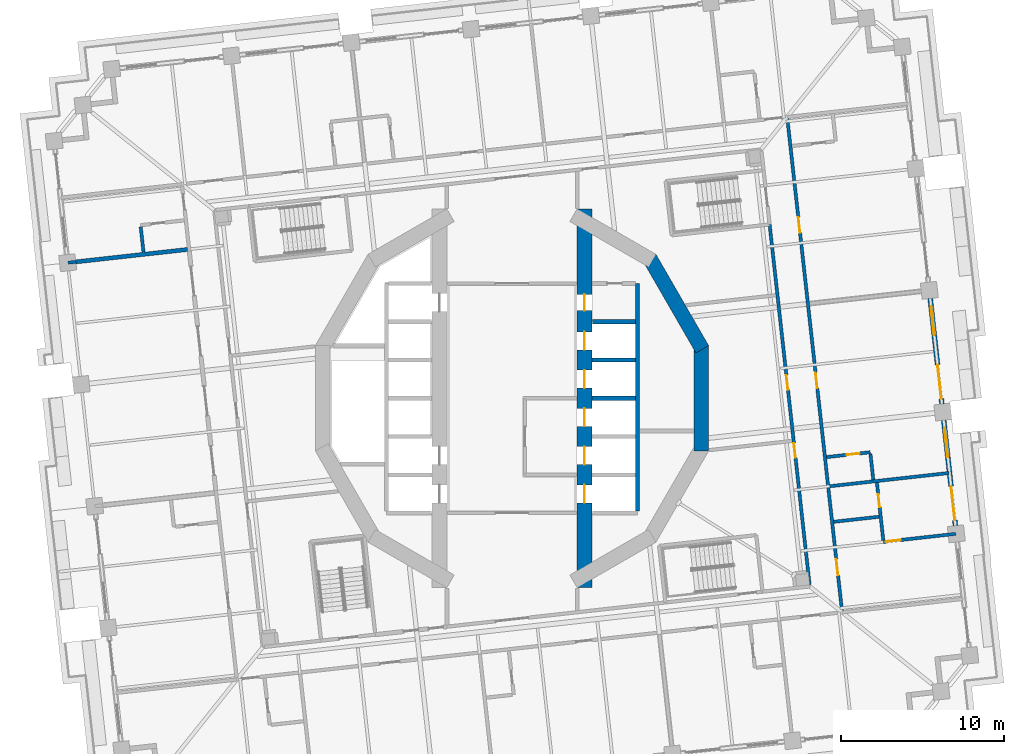
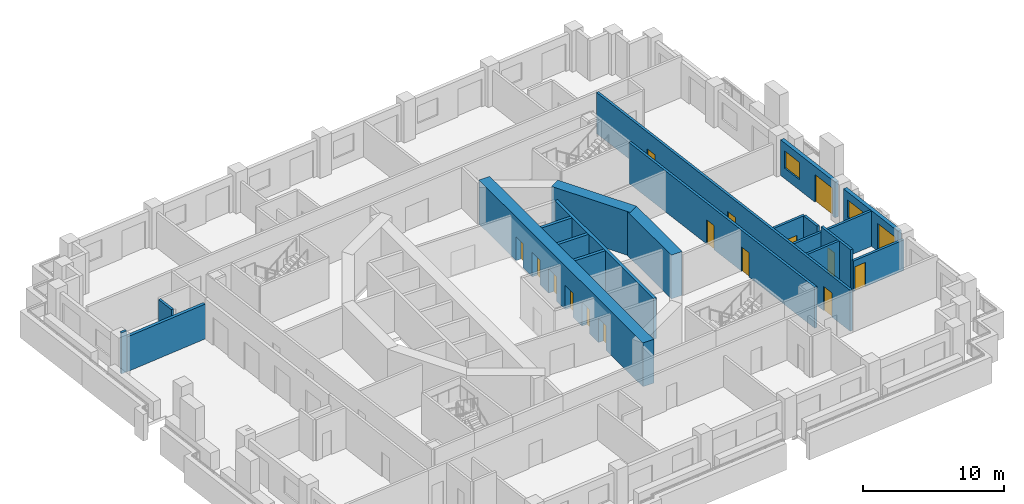
# One storey, part 7 of 19: 20 walls, 16 doors, 2 windows, 18 openings.
"""IFC4 building model written with IfcOpenShell, lengths in metres."""

from ifc_helpers import new_model, si_unit, direction, frame, frame_2d, origin, place, context, subcontext, project, spatial, rectangle, extrude, material, layer, layer_set, type_object, element, fill, save


model = new_model("IFC4")

# Units and contexts
model_context = context("Model", 3, precision=1e-05, world=origin(), true_north=direction((0.0, 1.0)))
body_context = subcontext(model_context, "Body", "Model", "MODEL_VIEW")
ifc_project = project(units=[si_unit("LENGTHUNIT", "METRE"), si_unit("AREAUNIT", "SQUARE_METRE"), si_unit("VOLUMEUNIT", "CUBIC_METRE"), si_unit("PLANEANGLEUNIT", "RADIAN"), si_unit("MASSUNIT", "GRAM", prefix="KILO")], contexts=[model_context])

# Site, building, storey
site_placement = place(None, origin())
site = spatial("IfcSite", under=ifc_project, at=site_placement, CompositionType="ELEMENT")
building_placement = place(site_placement, origin())
building = spatial("IfcBuilding", under=site, at=building_placement, Name="Cantera Rosa Tower", CompositionType="ELEMENT")
storey_placement = place(building_placement, frame((0.0, 0.0, 65.300048828125)))
storey = spatial("IfcBuildingStorey", under=building, at=storey_placement, Name="L13", CompositionType="ELEMENT", Elevation=65.300048828125)

# Wall, openings, doors
ifc_material_1 = material(Name="Gypsum board partition")
ifc_layer_1 = layer(ifc_material_1, 0.199951171875)
ifc_layer_set_1 = layer_set([ifc_layer_1], Name="CORRIDOR WALL 200 H3550")
wall_type_1 = type_object("IfcWallType", Name="CORRIDOR WALL 200 H3550", PredefinedType="PARTITIONING", material=ifc_layer_set_1)
wall_1_placement = place(storey_placement, frame((18.27490234375, -11.453857421875, 0.0), z_axis=(0.0, 0.0, 1.0), x_axis=(-0.110303935969, 0.993897903061, 0.0)))
wall_1 = element("IfcWall", 1, at=wall_1_placement, inside=storey, type_object=wall_type_1, Name="CORRIDOR WALL L13-098", PredefinedType="PARTITIONING", context=body_context, shape_type="SweptSolid", body=[
    extrude(rectangle(XDim=22.26171875, YDim=0.199951171875, at=frame_2d((11.130859375, 0.0))), origin(), (0.0, 0.0, 1.0), 3.550048828125),
])
opening_1_placement = place(wall_1_placement, frame((12.050048828125, 0.0, 0.0)))
opening_1 = element("IfcOpeningElement", 2, at=opening_1_placement, cuts=wall_1, Name="Opening L13-005", PredefinedType="OPENING", context=body_context, shape_type="SweptSolid", body=[
    extrude(rectangle(XDim=0.89990234375, YDim=2.10009765625, at=frame_2d((0.449951171875, 1.050048828125))), frame((0.0, 0.10986328125, 0.0), z_axis=(0.0, -1.0, 0.0), x_axis=(1.0, 0.0, 0.0)), (0.0, 0.0, 1.0), 0.219970703125),
])
opening_2_placement = place(wall_1_placement, frame((7.842529296875, 0.0, 0.0)))
opening_2 = element("IfcOpeningElement", 3, at=opening_2_placement, cuts=wall_1, Name="Opening L13-011", PredefinedType="OPENING", context=body_context, shape_type="SweptSolid", body=[
    extrude(rectangle(XDim=0.89990234375, YDim=2.10009765625, at=frame_2d((0.449951171875, 1.050048828125))), frame((0.0, 0.10986328125, 0.0), z_axis=(0.0, -1.0, 0.0), x_axis=(1.0, 0.0, 0.0)), (0.0, 0.0, 1.0), 0.219970703125),
])
ifc_material_2 = material(Name="Timber door leaf", Category="wood")
door_type_1 = type_object("IfcDoorType", Name="SERVICE DOOR 900x2100", OperationType="NOTDEFINED", PredefinedType="DOOR", material=ifc_material_2)
door_1_placement = place(opening_1_placement, origin())
door_1 = element("IfcDoor", 4, at=door_1_placement, inside=storey, type_object=door_type_1, Name="DOOR L13-005", OperationType="NOTDEFINED", OverallHeight=2.10009765625, OverallWidth=0.89990234375, PredefinedType="DOOR", context=body_context, shape_type="SweptSolid", body=[
    extrude(rectangle(XDim=0.89990234375, YDim=2.10009765625, at=frame_2d((0.449951171875, 1.050048828125))), frame((0.0, 0.02490234375, 0.0), z_axis=(0.0, -1.0, 0.0), x_axis=(1.0, 0.0, 0.0)), (0.0, 0.0, 1.0), 0.050048828125),
])
fill(opening_1, door_1)
door_2_placement = place(opening_2_placement, origin())
door_2 = element("IfcDoor", 5, at=door_2_placement, inside=storey, type_object=door_type_1, Name="DOOR L13-011", OperationType="NOTDEFINED", OverallHeight=2.10009765625, OverallWidth=0.89990234375, PredefinedType="DOOR", context=body_context, shape_type="SweptSolid", body=[
    extrude(rectangle(XDim=0.89990234375, YDim=2.10009765625, at=frame_2d((0.449951171875, 1.050048828125))), frame((0.0, 0.02490234375, 0.0), z_axis=(0.0, -1.0, 0.0), x_axis=(1.0, 0.0, 0.0)), (0.0, 0.0, 1.0), 0.050048828125),
])
fill(opening_2, door_2)

wall_2_placement = place(storey_placement, frame((20.2626953125, -13.04443359375, 0.0), z_axis=(0.0, 0.0, 1.0), x_axis=(-0.110312530755, 0.993896949164, 0.0)))
wall_2 = element("IfcWall", 6, at=wall_2_placement, inside=storey, type_object=wall_type_1, Name="CORRIDOR WALL L13-103", PredefinedType="PARTITIONING", context=body_context, shape_type="SweptSolid", body=[
    extrude(rectangle(XDim=30.400146484375, YDim=0.199951171875, at=frame_2d((15.2001953125, 0.0))), origin(), (0.0, 0.0, 1.0), 3.550048828125),
])
opening_3_placement = place(wall_2_placement, frame((2.18994140625, 0.0, 0.0)))
opening_3 = element("IfcOpeningElement", 7, at=opening_3_placement, cuts=wall_2, Name="Opening L13-018", PredefinedType="OPENING", context=body_context, shape_type="SweptSolid", body=[
    extrude(rectangle(XDim=1.0, YDim=2.10009765625, at=frame_2d((0.5, 1.050048828125))), frame((0.0, 0.10986328125, 0.0), z_axis=(0.0, -1.0, 0.0), x_axis=(1.0, 0.0, 0.0)), (0.0, 0.0, 1.0), 0.219970703125),
])
opening_4_placement = place(wall_2_placement, frame((13.7451171875, 0.0, 0.0)))
opening_4 = element("IfcOpeningElement", 8, at=opening_4_placement, cuts=wall_2, Name="Opening L13-021", PredefinedType="OPENING", context=body_context, shape_type="SweptSolid", body=[
    extrude(rectangle(XDim=0.949951171875, YDim=2.10009765625, at=frame_2d((0.47509765625, 1.050048828125))), frame((0.0, 0.10986328125, 0.0), z_axis=(0.0, -1.0, 0.0), x_axis=(1.0, 0.0, 0.0)), (0.0, 0.0, 1.0), 0.219970703125),
])
opening_5_placement = place(wall_2_placement, frame((23.35498046875, 0.0, 0.0)))
opening_5 = element("IfcOpeningElement", 9, at=opening_5_placement, cuts=wall_2, Name="Opening L13-023", PredefinedType="OPENING", context=body_context, shape_type="SweptSolid", body=[
    extrude(rectangle(XDim=0.949951171875, YDim=2.10009765625, at=frame_2d((0.47509765625, 1.050048828125))), frame((0.0, 0.10986328125, 0.0), z_axis=(0.0, -1.0, 0.0), x_axis=(1.0, 0.0, 0.0)), (0.0, 0.0, 1.0), 0.219970703125),
])
ifc_material_3 = material(Name="Timber door leaf", Category="wood")
door_type_2 = type_object("IfcDoorType", Name="ENTRANCE DOOR 1000x2100", OperationType="NOTDEFINED", PredefinedType="DOOR", material=ifc_material_3)
door_3_placement = place(opening_3_placement, origin())
door_3 = element("IfcDoor", 10, at=door_3_placement, inside=storey, type_object=door_type_2, Name="DOOR L13-018", OperationType="NOTDEFINED", OverallHeight=2.10009765625, OverallWidth=1.0, PredefinedType="DOOR", context=body_context, shape_type="SweptSolid", body=[
    extrude(rectangle(XDim=1.0, YDim=2.10009765625, at=frame_2d((0.5, 1.050048828125))), frame((0.0, 0.02490234375, 0.0), z_axis=(0.0, -1.0, 0.0), x_axis=(1.0, 0.0, 0.0)), (0.0, 0.0, 1.0), 0.050048828125),
])
fill(opening_3, door_3)
ifc_material_4 = material(Name="Timber door leaf", Category="wood")
door_type_3 = type_object("IfcDoorType", Name="ROOM DOOR 950x2100", OperationType="NOTDEFINED", PredefinedType="DOOR", material=ifc_material_4)
door_4_placement = place(opening_4_placement, origin())
door_4 = element("IfcDoor", 11, at=door_4_placement, inside=storey, type_object=door_type_3, Name="DOOR L13-021", OperationType="NOTDEFINED", OverallHeight=2.10009765625, OverallWidth=0.949951171875, PredefinedType="DOOR", context=body_context, shape_type="SweptSolid", body=[
    extrude(rectangle(XDim=0.949951171875, YDim=2.10009765625, at=frame_2d((0.47509765625, 1.050048828125))), frame((0.0, 0.02490234375, 0.0), z_axis=(0.0, -1.0, 0.0), x_axis=(1.0, 0.0, 0.0)), (0.0, 0.0, 1.0), 0.050048828125),
])
fill(opening_4, door_4)
door_5_placement = place(opening_5_placement, origin())
door_5 = element("IfcDoor", 12, at=door_5_placement, inside=storey, type_object=door_type_3, Name="DOOR L13-023", OperationType="NOTDEFINED", OverallHeight=2.10009765625, OverallWidth=0.949951171875, PredefinedType="DOOR", context=body_context, shape_type="SweptSolid", body=[
    extrude(rectangle(XDim=0.949951171875, YDim=2.10009765625, at=frame_2d((0.47509765625, 1.050048828125))), frame((0.0, 0.02490234375, 0.0), z_axis=(0.0, -1.0, 0.0), x_axis=(1.0, 0.0, 0.0)), (0.0, 0.0, 1.0), 0.050048828125),
])
fill(opening_5, door_5)

# Wall, openings, window, door
ifc_material_5 = material(Name="Hollow clay masonry with cantera stone cladding", Category="masonry")
ifc_layer_2 = layer(ifc_material_5, 0.300048828125)
ifc_layer_set_2 = layer_set([ifc_layer_2], Name="EW-LOGGIA 300 H3090")
wall_type_2 = type_object("IfcWallType", Name="EW-LOGGIA 300 H3090", PredefinedType="SOLIDWALL", material=ifc_layer_set_2)
wall_3_placement = place(storey_placement, frame((27.229248046875, -7.823974609375, 0.0), z_axis=(0.0, 0.0, 1.0), x_axis=(-0.110312341265, 0.993896970196, 0.0)))
wall_3 = element("IfcWall", 13, at=wall_3_placement, inside=storey, type_object=wall_type_2, Name="EN-L13-W02", PredefinedType="SOLIDWALL", context=body_context, shape_type="SweptSolid", body=[
    extrude(rectangle(XDim=6.52001953125, YDim=0.300048828125, at=frame_2d((3.260009765625, 0.0))), origin(), (0.0, 0.0, 1.0), 3.08984375),
])
opening_6_placement = place(wall_3_placement, frame((0.330078125, 0.0, 0.0)))
opening_6 = element("IfcOpeningElement", 14, at=opening_6_placement, cuts=wall_3, Name="Opening L13-TD03", PredefinedType="OPENING", context=body_context, shape_type="SweptSolid", body=[
    extrude(rectangle(XDim=2.10009765625, YDim=2.39990234375, at=frame_2d((1.050048828125, 1.199951171875))), frame((0.0, 0.159912109375, 0.0), z_axis=(0.0, -1.0, 0.0), x_axis=(1.0, 0.0, 0.0)), (0.0, 0.0, 1.0), 0.320068359375),
])
opening_7_placement = place(wall_3_placement, frame((4.239990234375, 0.0, 0.89990234375)))
opening_7 = element("IfcOpeningElement", 15, at=opening_7_placement, cuts=wall_3, Name="Opening L13-W04", PredefinedType="OPENING", context=body_context, shape_type="SweptSolid", body=[
    extrude(rectangle(XDim=1.800048828125, YDim=1.5, at=frame_2d((0.89990234375, 0.75))), frame((0.0, 0.159912109375, 0.0), z_axis=(0.0, -1.0, 0.0), x_axis=(1.0, 0.0, 0.0)), (0.0, 0.0, 1.0), 0.320068359375),
])
ifc_material_6 = material(Name="Aluminium frame with clear glass", Category="aluminium")
window_type = type_object("IfcWindowType", Name="Hotel room window 1800x1500", PartitioningType="DOUBLE_PANEL_VERTICAL", PredefinedType="WINDOW", material=ifc_material_6)
window_1_placement = place(opening_7_placement, origin())
window_1 = element("IfcWindow", 16, at=window_1_placement, inside=storey, type_object=window_type, Name="WINDOW L13-W04", OverallHeight=1.5, OverallWidth=1.800048828125, PartitioningType="SINGLE_PANEL", PredefinedType="WINDOW", context=body_context, shape_type="SweptSolid", body=[
    extrude(rectangle(XDim=1.800048828125, YDim=1.5, at=frame_2d((0.89990234375, 0.75))), frame((0.0, 0.030029296875, 0.0), z_axis=(0.0, -1.0, 0.0), x_axis=(1.0, 0.0, 0.0)), (0.0, 0.0, 1.0), 0.06005859375),
])
fill(opening_7, window_1)
ifc_material_7 = material(Name="Aluminium frame with clear glass", Category="aluminium")
door_type_4 = type_object("IfcDoorType", Name="TD-H 2100x2400", OperationType="NOTDEFINED", PredefinedType="DOOR", material=ifc_material_7)
door_6_placement = place(opening_6_placement, origin())
door_6 = element("IfcDoor", 17, at=door_6_placement, inside=storey, type_object=door_type_4, Name="LOGGIA DOOR L13-TD03", OperationType="SLIDING_TO_LEFT", OverallHeight=2.39990234375, OverallWidth=2.10009765625, PredefinedType="DOOR", context=body_context, shape_type="SweptSolid", body=[
    extrude(rectangle(XDim=2.10009765625, YDim=2.39990234375, at=frame_2d((1.050048828125, 1.199951171875))), frame((0.0, 0.02490234375, 0.0), z_axis=(0.0, -1.0, 0.0), x_axis=(1.0, 0.0, 0.0)), (0.0, 0.0, 1.0), 0.050048828125),
])
fill(opening_6, door_6)

wall_4_placement = place(storey_placement, frame((26.399658203125, -0.349853515625, 0.0), z_axis=(0.0, 0.0, 1.0), x_axis=(-0.110312341265, 0.993896970196, 0.0)))
wall_4 = element("IfcWall", 18, at=wall_4_placement, inside=storey, type_object=wall_type_2, Name="EN-L13-W03", PredefinedType="SOLIDWALL", context=body_context, shape_type="SweptSolid", body=[
    extrude(rectangle(XDim=6.52001953125, YDim=0.300048828125, at=frame_2d((3.260009765625, 0.0))), origin(), (0.0, 0.0, 1.0), 3.08984375),
])
opening_8_placement = place(wall_4_placement, frame((0.330078125, 0.0, 0.0)))
opening_8 = element("IfcOpeningElement", 19, at=opening_8_placement, cuts=wall_4, Name="Opening L13-TD05", PredefinedType="OPENING", context=body_context, shape_type="SweptSolid", body=[
    extrude(rectangle(XDim=2.10009765625, YDim=2.39990234375, at=frame_2d((1.050048828125, 1.199951171875))), frame((0.0, 0.159912109375, 0.0), z_axis=(0.0, -1.0, 0.0), x_axis=(1.0, 0.0, 0.0)), (0.0, 0.0, 1.0), 0.320068359375),
])
opening_9_placement = place(wall_4_placement, frame((4.239990234375, 0.0, 0.89990234375)))
opening_9 = element("IfcOpeningElement", 20, at=opening_9_placement, cuts=wall_4, Name="Opening L13-W06", PredefinedType="OPENING", context=body_context, shape_type="SweptSolid", body=[
    extrude(rectangle(XDim=1.800048828125, YDim=1.5, at=frame_2d((0.89990234375, 0.75))), frame((0.0, 0.159912109375, 0.0), z_axis=(0.0, -1.0, 0.0), x_axis=(1.0, 0.0, 0.0)), (0.0, 0.0, 1.0), 0.320068359375),
])
window_2_placement = place(opening_9_placement, origin())
window_2 = element("IfcWindow", 21, at=window_2_placement, inside=storey, type_object=window_type, Name="WINDOW L13-W06", OverallHeight=1.5, OverallWidth=1.800048828125, PartitioningType="SINGLE_PANEL", PredefinedType="WINDOW", context=body_context, shape_type="SweptSolid", body=[
    extrude(rectangle(XDim=1.800048828125, YDim=1.5, at=frame_2d((0.89990234375, 0.75))), frame((0.0, 0.030029296875, 0.0), z_axis=(0.0, -1.0, 0.0), x_axis=(1.0, 0.0, 0.0)), (0.0, 0.0, 1.0), 0.06005859375),
])
fill(opening_9, window_2)
door_7_placement = place(opening_8_placement, origin())
door_7 = element("IfcDoor", 22, at=door_7_placement, inside=storey, type_object=door_type_4, Name="LOGGIA DOOR L13-TD05", OperationType="SLIDING_TO_LEFT", OverallHeight=2.39990234375, OverallWidth=2.10009765625, PredefinedType="DOOR", context=body_context, shape_type="SweptSolid", body=[
    extrude(rectangle(XDim=2.10009765625, YDim=2.39990234375, at=frame_2d((1.050048828125, 1.199951171875))), frame((0.0, 0.02490234375, 0.0), z_axis=(0.0, -1.0, 0.0), x_axis=(1.0, 0.0, 0.0)), (0.0, 0.0, 1.0), 0.050048828125),
])
fill(opening_8, door_7)

# Wall
ifc_material_8 = material(Name="Concrete C40/50", Category="concrete")
ifc_layer_3 = layer(ifc_material_8, 0.25)
ifc_layer_set_3 = layer_set([ifc_layer_3], Name="EW-POCKET CHEEK 250 H3020")
wall_type_3 = type_object("IfcWallType", Name="EW-POCKET CHEEK 250 H3020", PredefinedType="SOLIDWALL", material=ifc_layer_set_3)
wall_5_placement = place(storey_placement, frame((-26.78759765625, 8.376220703125, 0.0), z_axis=(0.0, 0.0, 1.0), x_axis=(0.993899689646, 0.11028783669, 0.0)))
element("IfcWall", 23, at=wall_5_placement, inside=storey, type_object=wall_type_3, Name="POCKET CHEEK A L13", PredefinedType="SOLIDWALL", context=body_context, shape_type="SweptSolid", body=[
    extrude(rectangle(XDim=6.89990234375, YDim=0.25, at=frame_2d((3.449951171875, 0.0))), origin(), (0.0, 0.0, 1.0), 3.02001953125),
])

# Wall, opening, door
ifc_material_9 = material(Name="Gypsum board partition")
ifc_layer_4 = layer(ifc_material_9, 0.199951171875)
ifc_layer_set_4 = layer_set([ifc_layer_4], Name="PARTITION 200 H2650")
wall_type_4 = type_object("IfcWallType", Name="PARTITION 200 H2650", PredefinedType="PARTITIONING", material=ifc_layer_set_4)
wall_6_placement = place(storey_placement, frame((27.254638671875, -8.32421875, 0.0), z_axis=(0.0, 0.0, 1.0), x_axis=(-0.993895052822, -0.11032961514, 0.0)))
wall_6 = element("IfcWall", 24, at=wall_6_placement, inside=storey, type_object=wall_type_4, Name="PARTITION L13-107", PredefinedType="PARTITIONING", context=body_context, shape_type="SweptSolid", body=[
    extrude(rectangle(XDim=4.469970703125, YDim=0.199951171875, at=frame_2d((2.23486328125, 0.0))), origin(), (0.0, 0.0, 1.0), 2.64990234375),
])
opening_10_placement = place(wall_6_placement, frame((3.419921875, 0.0, 0.0)))
opening_10 = element("IfcOpeningElement", 25, at=opening_10_placement, cuts=wall_6, Name="Opening L13-019", PredefinedType="OPENING", context=body_context, shape_type="SweptSolid", body=[
    extrude(rectangle(XDim=0.89990234375, YDim=2.10009765625, at=frame_2d((0.449951171875, 1.050048828125))), frame((0.0, 0.10986328125, 0.0), z_axis=(0.0, -1.0, 0.0), x_axis=(1.0, 0.0, 0.0)), (0.0, 0.0, 1.0), 0.219970703125),
])
ifc_material_10 = material(Name="Timber door leaf", Category="wood")
door_type_5 = type_object("IfcDoorType", Name="ROOM DOOR 900x2100", OperationType="NOTDEFINED", PredefinedType="DOOR", material=ifc_material_10)
door_8_placement = place(opening_10_placement, origin())
door_8 = element("IfcDoor", 26, at=door_8_placement, inside=storey, type_object=door_type_5, Name="DOOR L13-019", OperationType="NOTDEFINED", OverallHeight=2.10009765625, OverallWidth=0.89990234375, PredefinedType="DOOR", context=body_context, shape_type="SweptSolid", body=[
    extrude(rectangle(XDim=0.89990234375, YDim=2.10009765625, at=frame_2d((0.449951171875, 1.050048828125))), frame((0.0, 0.02490234375, 0.0), z_axis=(0.0, -1.0, 0.0), x_axis=(1.0, 0.0, 0.0)), (0.0, 0.0, 1.0), 0.050048828125),
])
fill(opening_10, door_8)

# Wall
ifc_material_11 = material(Name="Gypsum board partition")
ifc_layer_5 = layer(ifc_material_11, 0.199951171875)
ifc_layer_set_5 = layer_set([ifc_layer_5], Name="PARTITION 200 H3550")
wall_type_5 = type_object("IfcWallType", Name="PARTITION 200 H3550", PredefinedType="PARTITIONING", material=ifc_layer_set_5)
wall_7_placement = place(storey_placement, frame((-22.6279296875, 8.9736328125, 0.0), z_axis=(0.0, 0.0, 1.0), x_axis=(-0.110294546254, 0.993898945098, 0.0)))
element("IfcWall", 27, at=wall_7_placement, inside=storey, type_object=wall_type_5, Name="PARTITION L13-004", PredefinedType="PARTITIONING", context=body_context, shape_type="SweptSolid", body=[
    extrude(rectangle(XDim=1.56494140625, YDim=0.199951171875, at=frame_2d((0.782470703125, 0.0))), origin(), (0.0, 0.0, 1.0), 3.550048828125),
])

# Wall, opening, door
wall_8_placement = place(storey_placement, frame((19.31640625, -3.611083984375, 0.0), z_axis=(0.0, 0.0, 1.0), x_axis=(0.993905770718, 0.110233021063, 0.0)))
wall_8 = element("IfcWall", 28, at=wall_8_placement, inside=storey, type_object=wall_type_5, Name="PARTITION L13-099", PredefinedType="PARTITIONING", context=body_context, shape_type="SweptSolid", body=[
    extrude(rectangle(XDim=2.69970703125, YDim=0.199951171875, at=frame_2d((1.349853515625, 0.0))), origin(), (0.0, 0.0, 1.0), 3.550048828125),
])
opening_11_placement = place(wall_8_placement, frame((1.236083984375, 0.0, 0.0)))
opening_11 = element("IfcOpeningElement", 29, at=opening_11_placement, cuts=wall_8, Name="Opening L13-022", PredefinedType="OPENING", context=body_context, shape_type="SweptSolid", body=[
    extrude(rectangle(XDim=0.800048828125, YDim=2.10009765625, at=frame_2d((0.39990234375, 1.050048828125))), frame((0.0, 0.10986328125, 0.0), z_axis=(0.0, -1.0, 0.0), x_axis=(1.0, 0.0, 0.0)), (0.0, 0.0, 1.0), 0.219970703125),
])
ifc_material_12 = material(Name="Timber door leaf", Category="wood")
door_type_6 = type_object("IfcDoorType", Name="BATHROOM DOOR 800x2100", OperationType="NOTDEFINED", PredefinedType="DOOR", material=ifc_material_12)
door_9_placement = place(opening_11_placement, origin())
door_9 = element("IfcDoor", 30, at=door_9_placement, inside=storey, type_object=door_type_6, Name="DOOR L13-022", OperationType="NOTDEFINED", OverallHeight=2.10009765625, OverallWidth=0.800048828125, PredefinedType="DOOR", context=body_context, shape_type="SweptSolid", body=[
    extrude(rectangle(XDim=0.800048828125, YDim=2.10009765625, at=frame_2d((0.39990234375, 1.050048828125))), frame((0.0, 0.02490234375, 0.0), z_axis=(0.0, -1.0, 0.0), x_axis=(1.0, 0.0, 0.0)), (0.0, 0.0, 1.0), 0.050048828125),
])
fill(opening_11, door_9)

# Walls
wall_9_placement = place(storey_placement, frame((22.0107421875, -3.412841796875, 0.0), z_axis=(0.0, 0.0, 1.0), x_axis=(0.110331031706, -0.993894895571, 0.0)))
element("IfcWall", 31, at=wall_9_placement, inside=storey, type_object=wall_type_5, Name="PARTITION L13-104", PredefinedType="PARTITIONING", context=body_context, shape_type="SweptSolid", body=[
    extrude(rectangle(XDim=1.599853515625, YDim=0.199951171875, at=frame_2d((0.7998046875, 0.0))), origin(), (0.0, 0.0, 1.0), 3.550048828125),
])
wall_10_placement = place(storey_placement, frame((22.540283203125, -7.27783203125, 0.0), z_axis=(0.0, 0.0, 1.0), x_axis=(-0.99388798752, -0.110393243744, 0.0)))
element("IfcWall", 32, at=wall_10_placement, inside=storey, type_object=wall_type_5, Name="PARTITION L13-105", PredefinedType="PARTITIONING", context=body_context, shape_type="SweptSolid", body=[
    extrude(rectangle(XDim=2.7998046875, YDim=0.199951171875, at=frame_2d((1.39990234375, 0.0))), origin(), (0.0, 0.0, 1.0), 3.550048828125),
])

# Wall, opening, door
wall_11_placement = place(storey_placement, frame((22.80078125, -8.718017578125, 0.0), z_axis=(0.0, 0.0, 1.0), x_axis=(-0.110273460699, 0.993901284769, 0.0)))
wall_11 = element("IfcWall", 33, at=wall_11_placement, inside=storey, type_object=wall_type_5, Name="PARTITION L13-106", PredefinedType="PARTITIONING", context=body_context, shape_type="SweptSolid", body=[
    extrude(rectangle(XDim=3.56005859375, YDim=0.199951171875, at=frame_2d((1.780029296875, 0.0))), origin(), (0.0, 0.0, 1.0), 3.550048828125),
])
opening_12_placement = place(wall_11_placement, frame((2.050048828125, 0.0, 0.0)))
opening_12 = element("IfcOpeningElement", 34, at=opening_12_placement, cuts=wall_11, Name="Opening L13-020", PredefinedType="OPENING", context=body_context, shape_type="SweptSolid", body=[
    extrude(rectangle(XDim=0.800048828125, YDim=2.10009765625, at=frame_2d((0.39990234375, 1.050048828125))), frame((0.0, 0.10986328125, 0.0), z_axis=(0.0, -1.0, 0.0), x_axis=(1.0, 0.0, 0.0)), (0.0, 0.0, 1.0), 0.219970703125),
])
door_10_placement = place(opening_12_placement, origin())
door_10 = element("IfcDoor", 35, at=door_10_placement, inside=storey, type_object=door_type_6, Name="DOOR L13-020", OperationType="NOTDEFINED", OverallHeight=2.10009765625, OverallWidth=0.800048828125, PredefinedType="DOOR", context=body_context, shape_type="SweptSolid", body=[
    extrude(rectangle(XDim=0.800048828125, YDim=2.10009765625, at=frame_2d((0.39990234375, 1.050048828125))), frame((0.0, 0.02490234375, 0.0), z_axis=(0.0, -1.0, 0.0), x_axis=(1.0, 0.0, 0.0)), (0.0, 0.0, 1.0), 0.050048828125),
])
fill(opening_12, door_10)

# Walls
ifc_material_13 = material(Name="Gypsum board partition")
ifc_layer_6 = layer(ifc_material_13, 0.199951171875)
ifc_layer_set_6 = layer_set([ifc_layer_6], Name="PARTY WALL 200 H3050")
wall_type_6 = type_object("IfcWallType", Name="PARTY WALL 200 H3050", PredefinedType="PARTITIONING", material=ifc_layer_set_6)
wall_12_placement = place(storey_placement, frame((19.514892578125, -5.400146484375, 0.0), z_axis=(0.0, 0.0, 1.0), x_axis=(0.993897058864, 0.11031154238, 0.0)))
element("IfcWall", 36, at=wall_12_placement, inside=storey, type_object=wall_type_6, Name="PARTY WALL L13-100", PredefinedType="PARTITIONING", context=body_context, shape_type="SweptSolid", body=[
    extrude(rectangle(XDim=7.369873046875, YDim=0.199951171875, at=frame_2d((3.68505859375, 0.0))), origin(), (0.0, 0.0, 1.0), 3.050048828125),
])
ifc_material_14 = material(Name="Gypsum board partition")
ifc_layer_7 = layer(ifc_material_14, 0.199951171875)
ifc_layer_set_7 = layer_set([ifc_layer_7], Name="PARTY WALL 200 H3550")
wall_type_7 = type_object("IfcWallType", Name="PARTY WALL 200 H3550", PredefinedType="PARTITIONING", material=ifc_layer_set_7)
wall_13_placement = place(storey_placement, frame((-26.78759765625, 8.376220703125, 0.0), z_axis=(0.0, 0.0, 1.0), x_axis=(-0.99385836564, -0.110659608929, 0.0)))
element("IfcWall", 37, at=wall_13_placement, inside=storey, type_object=wall_type_7, Name="PARTY WALL L13-009", PredefinedType="PARTITIONING", context=body_context, shape_type="SweptSolid", body=[
    extrude(rectangle(XDim=0.469970703125, YDim=0.199951171875, at=frame_2d((0.23486328125, 0.0))), origin(), (0.0, 0.0, 1.0), 3.550048828125),
])
ifc_material_15 = material(Name="Concrete C70/85", Category="concrete")
ifc_layer_8 = layer(ifc_material_15, 0.89990234375)
ifc_layer_set_8 = layer_set([ifc_layer_8], Name="RC CORE WALL 900 C70/85")
wall_type_8 = type_object("IfcWallType", Name="RC CORE WALL 900 C70/85", PredefinedType="SHEAR", material=ifc_layer_set_8)
wall_14_placement = place(storey_placement, frame((8.44921875, 8.61376953125, 0.0), z_axis=(0.0, 0.0, 1.0), x_axis=(0.499990282633, -0.866031014036, 0.0)))
element("IfcWall", 38, at=wall_14_placement, inside=storey, type_object=wall_type_8, Name="CW-E2 L13", PredefinedType="SHEAR", context=body_context, shape_type="SweptSolid", body=[
    extrude(rectangle(XDim=6.470458984375, YDim=0.89990234375, at=frame_2d((3.2353515625, 0.0))), origin(), (0.0, 0.0, 1.0), 3.800048828125),
])
wall_15_placement = place(storey_placement, frame((11.6240234375, 3.2353515625, 0.0), z_axis=(0.0, 0.0, 1.0), x_axis=(0.0, -1.0, 0.0)))
element("IfcWall", 39, at=wall_15_placement, inside=storey, type_object=wall_type_8, Name="CW-E3 L13", PredefinedType="SHEAR", context=body_context, shape_type="SweptSolid", body=[
    extrude(rectangle(XDim=6.470703125, YDim=0.89990234375, at=frame_2d((3.2353515625, 0.0))), origin(), (0.0, 0.0, 1.0), 3.800048828125),
])

# Wall, openings, doors
wall_16_placement = place(storey_placement, frame((4.449951171875, -11.632568359375, 0.0), z_axis=(0.0, 0.0, 1.0), x_axis=(0.0, 1.0, 0.0)))
wall_16 = element("IfcWall", 40, at=wall_16_placement, inside=storey, type_object=wall_type_8, Name="CW-E6 L13", PredefinedType="SHEAR", context=body_context, shape_type="SweptSolid", body=[
    extrude(rectangle(XDim=23.26513671875, YDim=0.89990234375, at=frame_2d((11.632568359375, 0.0))), origin(), (0.0, 0.0, 1.0), 3.800048828125),
])
opening_13_placement = place(wall_16_placement, frame((7.5576171875, 0.0, 0.0)))
opening_13 = element("IfcOpeningElement", 41, at=opening_13_placement, cuts=wall_16, Name="Opening LD-FF1-L13", PredefinedType="OPENING", context=body_context, shape_type="SweptSolid", body=[
    extrude(rectangle(XDim=1.10009765625, YDim=2.10009765625, at=frame_2d((0.550048828125, 1.050048828125))), frame((0.0, 0.4599609375, 0.0), z_axis=(0.0, -1.0, 0.0), x_axis=(1.0, 0.0, 0.0)), (0.0, 0.0, 1.0), 0.919921875),
])
opening_14_placement = place(wall_16_placement, frame((9.907470703125, 0.0, 0.0)))
opening_14 = element("IfcOpeningElement", 42, at=opening_14_placement, cuts=wall_16, Name="Opening LD-FF2-L13", PredefinedType="OPENING", context=body_context, shape_type="SweptSolid", body=[
    extrude(rectangle(XDim=1.10009765625, YDim=2.10009765625, at=frame_2d((0.550048828125, 1.050048828125))), frame((0.0, 0.4599609375, 0.0), z_axis=(0.0, -1.0, 0.0), x_axis=(1.0, 0.0, 0.0)), (0.0, 0.0, 1.0), 0.919921875),
])
opening_15_placement = place(wall_16_placement, frame((12.257568359375, 0.0, 0.0)))
opening_15 = element("IfcOpeningElement", 43, at=opening_15_placement, cuts=wall_16, Name="Opening LD-P1-L13", PredefinedType="OPENING", context=body_context, shape_type="SweptSolid", body=[
    extrude(rectangle(XDim=1.10009765625, YDim=2.10009765625, at=frame_2d((0.550048828125, 1.050048828125))), frame((0.0, 0.4599609375, 0.0), z_axis=(0.0, -1.0, 0.0), x_axis=(1.0, 0.0, 0.0)), (0.0, 0.0, 1.0), 0.919921875),
])
opening_16_placement = place(wall_16_placement, frame((14.607421875, 0.0, 0.0)))
opening_16 = element("IfcOpeningElement", 44, at=opening_16_placement, cuts=wall_16, Name="Opening LD-P2-L13", PredefinedType="OPENING", context=body_context, shape_type="SweptSolid", body=[
    extrude(rectangle(XDim=1.10009765625, YDim=2.10009765625, at=frame_2d((0.550048828125, 1.050048828125))), frame((0.0, 0.4599609375, 0.0), z_axis=(0.0, -1.0, 0.0), x_axis=(1.0, 0.0, 0.0)), (0.0, 0.0, 1.0), 0.919921875),
])
opening_17_placement = place(wall_16_placement, frame((5.20751953125, 0.0, 0.0)))
opening_17 = element("IfcOpeningElement", 45, at=opening_17_placement, cuts=wall_16, Name="Opening LD-P6-L13", PredefinedType="OPENING", context=body_context, shape_type="SweptSolid", body=[
    extrude(rectangle(XDim=1.10009765625, YDim=2.10009765625, at=frame_2d((0.550048828125, 1.050048828125))), frame((0.0, 0.4599609375, 0.0), z_axis=(0.0, -1.0, 0.0), x_axis=(1.0, 0.0, 0.0)), (0.0, 0.0, 1.0), 0.919921875),
])
opening_18_placement = place(wall_16_placement, frame((17.007568359375, 0.0, 0.0)))
opening_18 = element("IfcOpeningElement", 46, at=opening_18_placement, cuts=wall_16, Name="Opening SD-L13-17", PredefinedType="OPENING", context=body_context, shape_type="SweptSolid", body=[
    extrude(rectangle(XDim=1.0, YDim=2.10009765625, at=frame_2d((0.5, 1.050048828125))), frame((0.0, 0.4599609375, 0.0), z_axis=(0.0, -1.0, 0.0), x_axis=(1.0, 0.0, 0.0)), (0.0, 0.0, 1.0), 0.919921875),
])
ifc_material_16 = material(Name="Steel S355J2 (EN 10025-2)", Category="steel")
door_type_7 = type_object("IfcDoorType", Name="LANDING DOOR 1100x2100", OperationType="NOTDEFINED", PredefinedType="DOOR", material=ifc_material_16)
door_11_placement = place(opening_13_placement, origin())
door_11 = element("IfcDoor", 47, at=door_11_placement, inside=storey, type_object=door_type_7, Name="LANDING DOOR FF1 L13", OperationType="SLIDING_TO_LEFT", OverallHeight=2.10009765625, OverallWidth=1.10009765625, PredefinedType="DOOR", context=body_context, shape_type="SweptSolid", body=[
    extrude(rectangle(XDim=1.10009765625, YDim=2.10009765625, at=frame_2d((0.550048828125, 1.050048828125))), frame((0.0, 0.02490234375, 0.0), z_axis=(0.0, -1.0, 0.0), x_axis=(1.0, 0.0, 0.0)), (0.0, 0.0, 1.0), 0.050048828125),
])
fill(opening_13, door_11)
door_12_placement = place(opening_14_placement, origin())
door_12 = element("IfcDoor", 48, at=door_12_placement, inside=storey, type_object=door_type_7, Name="LANDING DOOR FF2 L13", OperationType="SLIDING_TO_LEFT", OverallHeight=2.10009765625, OverallWidth=1.10009765625, PredefinedType="DOOR", context=body_context, shape_type="SweptSolid", body=[
    extrude(rectangle(XDim=1.10009765625, YDim=2.10009765625, at=frame_2d((0.550048828125, 1.050048828125))), frame((0.0, 0.02490234375, 0.0), z_axis=(0.0, -1.0, 0.0), x_axis=(1.0, 0.0, 0.0)), (0.0, 0.0, 1.0), 0.050048828125),
])
fill(opening_14, door_12)
door_13_placement = place(opening_15_placement, origin())
door_13 = element("IfcDoor", 49, at=door_13_placement, inside=storey, type_object=door_type_7, Name="LANDING DOOR P1 L13", OperationType="SLIDING_TO_LEFT", OverallHeight=2.10009765625, OverallWidth=1.10009765625, PredefinedType="DOOR", context=body_context, shape_type="SweptSolid", body=[
    extrude(rectangle(XDim=1.10009765625, YDim=2.10009765625, at=frame_2d((0.550048828125, 1.050048828125))), frame((0.0, 0.02490234375, 0.0), z_axis=(0.0, -1.0, 0.0), x_axis=(1.0, 0.0, 0.0)), (0.0, 0.0, 1.0), 0.050048828125),
])
fill(opening_15, door_13)
door_14_placement = place(opening_16_placement, origin())
door_14 = element("IfcDoor", 50, at=door_14_placement, inside=storey, type_object=door_type_7, Name="LANDING DOOR P2 L13", OperationType="SLIDING_TO_LEFT", OverallHeight=2.10009765625, OverallWidth=1.10009765625, PredefinedType="DOOR", context=body_context, shape_type="SweptSolid", body=[
    extrude(rectangle(XDim=1.10009765625, YDim=2.10009765625, at=frame_2d((0.550048828125, 1.050048828125))), frame((0.0, 0.02490234375, 0.0), z_axis=(0.0, -1.0, 0.0), x_axis=(1.0, 0.0, 0.0)), (0.0, 0.0, 1.0), 0.050048828125),
])
fill(opening_16, door_14)
door_15_placement = place(opening_17_placement, origin())
door_15 = element("IfcDoor", 51, at=door_15_placement, inside=storey, type_object=door_type_7, Name="LANDING DOOR P6 L13", OperationType="SLIDING_TO_LEFT", OverallHeight=2.10009765625, OverallWidth=1.10009765625, PredefinedType="DOOR", context=body_context, shape_type="SweptSolid", body=[
    extrude(rectangle(XDim=1.10009765625, YDim=2.10009765625, at=frame_2d((0.550048828125, 1.050048828125))), frame((0.0, 0.02490234375, 0.0), z_axis=(0.0, -1.0, 0.0), x_axis=(1.0, 0.0, 0.0)), (0.0, 0.0, 1.0), 0.050048828125),
])
fill(opening_17, door_15)
ifc_material_17 = material(Name="Timber door leaf", Category="wood")
door_type_8 = type_object("IfcDoorType", Name="SERVICE DOOR 1000x2100", OperationType="NOTDEFINED", PredefinedType="DOOR", material=ifc_material_17)
door_16_placement = place(opening_18_placement, origin())
door_16 = element("IfcDoor", 52, at=door_16_placement, inside=storey, type_object=door_type_8, Name="DOOR L13-SD17", OperationType="NOTDEFINED", OverallHeight=2.10009765625, OverallWidth=1.0, PredefinedType="DOOR", context=body_context, shape_type="SweptSolid", body=[
    extrude(rectangle(XDim=1.0, YDim=2.10009765625, at=frame_2d((0.5, 1.050048828125))), frame((0.0, 0.02490234375, 0.0), z_axis=(0.0, -1.0, 0.0), x_axis=(1.0, 0.0, 0.0)), (0.0, 0.0, 1.0), 0.050048828125),
])
fill(opening_18, door_16)

# Walls
ifc_material_18 = material(Name="Masonry blockwork", Category="masonry")
ifc_layer_9 = layer(ifc_material_18, 0.25)
ifc_layer_set_9 = layer_set([ifc_layer_9], Name="SHAFT WALL 250 H3550")
wall_type_9 = type_object("IfcWallType", Name="SHAFT WALL 250 H3550", PredefinedType="SOLIDWALL", material=ifc_layer_set_9)
wall_17_placement = place(storey_placement, frame((4.89990234375, 0.0, 0.0), z_axis=(0.0, 0.0, 1.0), x_axis=(1.0, 0.0, 0.0)))
element("IfcWall", 53, at=wall_17_placement, inside=storey, type_object=wall_type_9, Name="SHAFT WALL L13-063", PredefinedType="SOLIDWALL", context=body_context, shape_type="SweptSolid", body=[
    extrude(rectangle(XDim=2.675048828125, YDim=0.25, at=frame_2d((1.33740234375, 0.0))), origin(), (0.0, 0.0, 1.0), 3.550048828125),
])
wall_18_placement = place(storey_placement, frame((7.699951171875, -6.929931640625, 0.0), z_axis=(0.0, 0.0, 1.0), x_axis=(0.0, 1.0, 0.0)))
element("IfcWall", 54, at=wall_18_placement, inside=storey, type_object=wall_type_9, Name="SHAFT WALL L13-065", PredefinedType="SOLIDWALL", context=body_context, shape_type="SweptSolid", body=[
    extrude(rectangle(XDim=13.97998046875, YDim=0.25, at=frame_2d((6.989990234375, 0.0))), origin(), (0.0, 0.0, 1.0), 3.550048828125),
])
wall_19_placement = place(storey_placement, frame((7.574951171875, 2.35009765625, 0.0), z_axis=(0.0, 0.0, 1.0), x_axis=(-1.0, 0.0, 0.0)))
element("IfcWall", 55, at=wall_19_placement, inside=storey, type_object=wall_type_9, Name="SHAFT WALL L13-068", PredefinedType="SOLIDWALL", context=body_context, shape_type="SweptSolid", body=[
    extrude(rectangle(XDim=2.675048828125, YDim=0.25, at=frame_2d((1.33740234375, 0.0))), origin(), (0.0, 0.0, 1.0), 3.550048828125),
])
wall_20_placement = place(storey_placement, frame((7.574951171875, 4.699951171875, 0.0), z_axis=(0.0, 0.0, 1.0), x_axis=(-1.0, 0.0, 0.0)))
element("IfcWall", 56, at=wall_20_placement, inside=storey, type_object=wall_type_9, Name="SHAFT WALL L13-069", PredefinedType="SOLIDWALL", context=body_context, shape_type="SweptSolid", body=[
    extrude(rectangle(XDim=2.64501953125, YDim=0.25, at=frame_2d((1.322509765625, 0.0))), origin(), (0.0, 0.0, 1.0), 3.550048828125),
])

save(model, "model.ifc")
